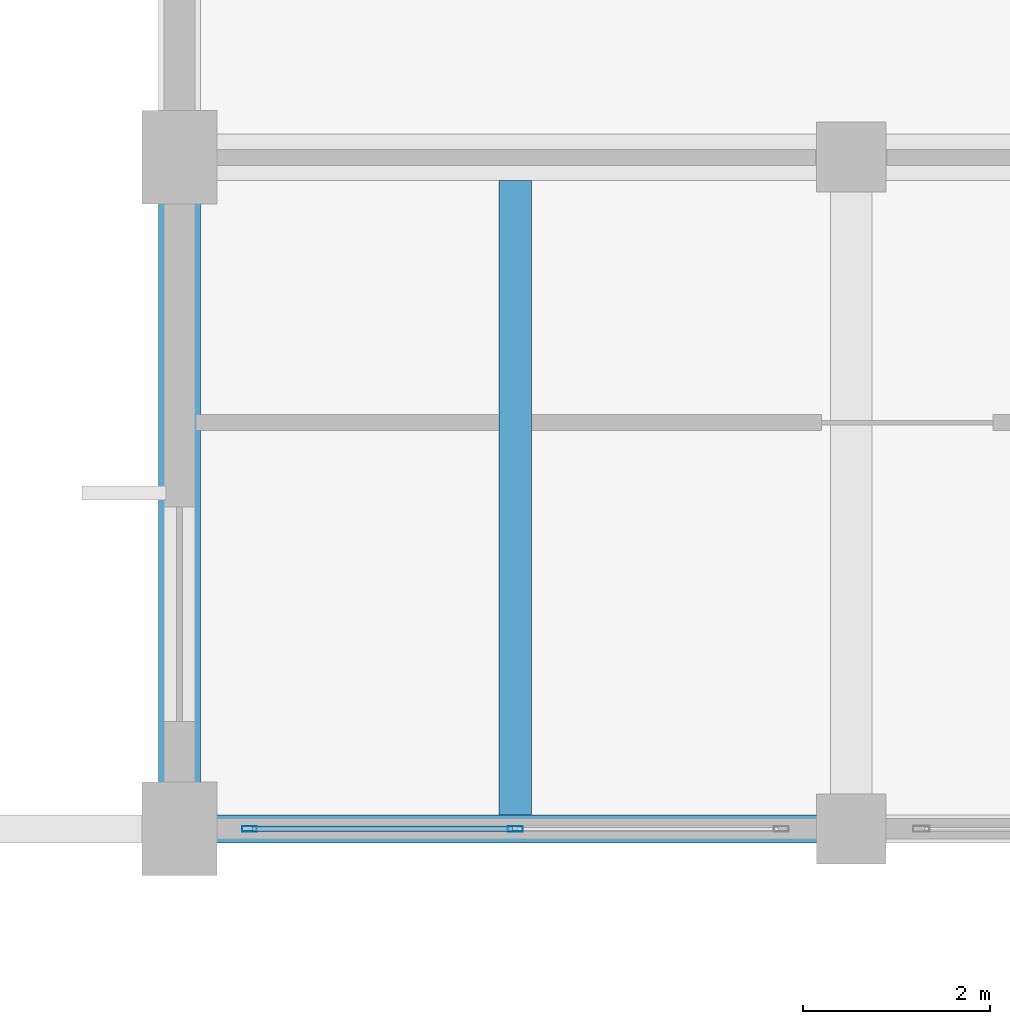
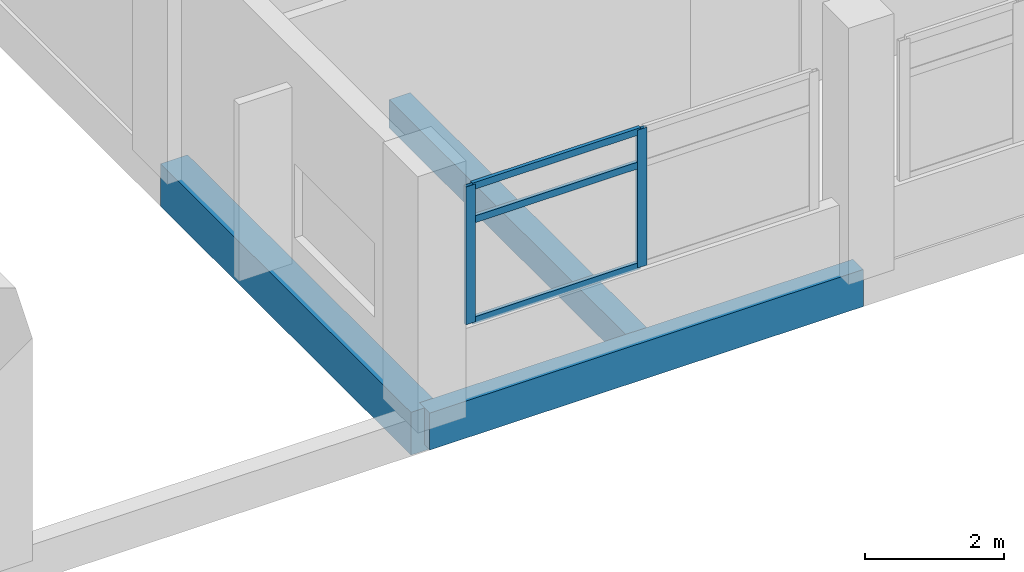
# One storey, part 7 of 141: 5 members, 3 beams, 1 element without a shape of its own.
"""IFC4 building model written with IfcOpenShell, lengths in metres."""

from ifc_helpers import new_model, si_unit, direction, frame, origin, origin_2d, place, context, subcontext, project, spatial, rectangle, hollow_rectangle, extrude, material, layer, layer_set, material_profile, profile_set, type_object, element, aggregate, save


model = new_model("IFC4")

# Units and contexts
model_context = context("Model", 3, precision=1e-05, world=origin(), true_north=direction((0.0, 1.0)))
body_context = subcontext(model_context, "Body", "Model", "MODEL_VIEW")
ifc_project = project(units=[si_unit("LENGTHUNIT", "METRE"), si_unit("AREAUNIT", "SQUARE_METRE"), si_unit("VOLUMEUNIT", "CUBIC_METRE"), si_unit("PLANEANGLEUNIT", "RADIAN"), si_unit("MASSUNIT", "GRAM", prefix="KILO")], contexts=[model_context])

# Site, building, storey
site_placement = place(None, origin())
site = spatial("IfcSite", under=ifc_project, at=site_placement, CompositionType="ELEMENT")
building_placement = place(site_placement, origin())
building = spatial("IfcBuilding", under=site, at=building_placement, Name="Seraya Terrace Polytechnic", CompositionType="ELEMENT")
storey_placement = place(building_placement, frame((0.0, 0.0, 14.39990234375)))
storey = spatial("IfcBuildingStorey", under=building, at=storey_placement, Name="L03", CompositionType="ELEMENT", Elevation=14.39990234375)

# Beam
ifc_material_1 = material(Name="Concrete C40/50", Category="concrete")
ifc_material_profile_1 = material_profile(ifc_material_1, rectangle(XDim=0.449951171875, YDim=0.75, at=origin_2d()), Name="RC 450x750")
ifc_profile_set_1 = profile_set([ifc_material_profile_1], Name="Concrete C40/50")
beam_type_1 = type_object("IfcBeamType", Name="BM-08", PredefinedType="BEAM", material=ifc_profile_set_1)
beam_1_placement = place(storey_placement, frame((43.199951171875, 0.0, -0.375), z_axis=(0.0, 1.0, 0.0), x_axis=(-1.0, 0.0, 0.0)))
element("IfcBeam", 1, at=beam_1_placement, inside=storey, type_object=beam_type_1, Name="Beam BM-08 L03 Y (43.2, 0.0..7.2)", PredefinedType="BEAM", context=body_context, shape_type="SweptSolid", body=[
    extrude(rectangle(XDim=0.449951171875, YDim=0.75, at=origin_2d()), origin(), (0.0, 0.0, 1.0), 7.199951171875),
])

# Curtain wall, members
ifc_material_2 = material(Name="Anodised aluminium EN AW-6063 T6", Category="aluminium")
ifc_layer = layer(ifc_material_2, 0.179931640625, Name="CW-35")
ifc_layer_set = layer_set([ifc_layer], Name="Anodised aluminium EN AW-6063 T6")
curtain_wall_type = type_object("IfcCurtainWallType", Name="CW-35", PredefinedType="NOTDEFINED", material=ifc_layer_set)
curtain_wall_placement = place(storey_placement, origin())
curtain_wall = element("IfcCurtainWall", 2, at=curtain_wall_placement, inside=storey, type_object=curtain_wall_type, Name="Unitised curtain wall CW-35 (CW-L03-107)", PredefinedType="NOTDEFINED")
ifc_material_profile_2 = material_profile(ifc_material_2, hollow_rectangle(XDim=0.06005859375, YDim=0.159912109375, WallThickness=0.00341796875, at=origin_2d()), Name="RHS 160x60x3.5")
ifc_profile_set_2 = profile_set([ifc_material_profile_2], Name="Anodised aluminium EN AW-6063 T6")
member_type_1 = type_object("IfcMemberType", Name="CWM-02", PredefinedType="MULLION", material=ifc_profile_set_2)
member_1_placement = place(storey_placement, frame((46.800048828125, 0.0, 1.239990234375), z_axis=(0.0, 0.0, 1.0), x_axis=(0.0, -1.0, 0.0)))
member_1 = element("IfcMember", 3, at=member_1_placement, type_object=member_type_1, Name="CW-35 mullion 2", PredefinedType="MULLION", context=body_context, shape_type="SweptSolid", body=[
    extrude(hollow_rectangle(XDim=0.06005859375, YDim=0.159912109375, WallThickness=0.00341796875, at=origin_2d()), origin(), (0.0, 0.0, 1.0), 2.420166015625),
])
member_2_placement = place(storey_placement, frame((43.949951171875, 0.0, 1.239990234375), z_axis=(0.0, 0.0, 1.0), x_axis=(0.0, -1.0, 0.0)))
member_2 = element("IfcMember", 4, at=member_2_placement, type_object=member_type_1, Name="CW-35 mullion 3", PredefinedType="MULLION", context=body_context, shape_type="SweptSolid", body=[
    extrude(hollow_rectangle(XDim=0.06005859375, YDim=0.159912109375, WallThickness=0.00341796875, at=origin_2d()), origin(), (0.0, 0.0, 1.0), 2.420166015625),
])
ifc_material_profile_3 = material_profile(ifc_material_2, hollow_rectangle(XDim=0.06005859375, YDim=0.1201171875, WallThickness=0.003173828125, at=origin_2d()), Name="RHS 120x60x3.2")
ifc_profile_set_3 = profile_set([ifc_material_profile_3], Name="Anodised aluminium EN AW-6063 T6")
member_type_2 = type_object("IfcMemberType", Name="CWT-02", PredefinedType="USERDEFINED", material=ifc_profile_set_3)
member_3_placement = place(storey_placement, frame((46.77001953125, 0.0, 1.27001953125), z_axis=(-1.0, 0.0, 0.0), x_axis=(0.0, -1.0, 0.0)))
member_3 = element("IfcMember", 5, at=member_3_placement, type_object=member_type_2, Name="CW-35 transom 2.1", ObjectType="TRANSOM", PredefinedType="USERDEFINED", context=body_context, shape_type="SweptSolid", body=[
    extrude(hollow_rectangle(XDim=0.06005859375, YDim=0.1201171875, WallThickness=0.003173828125, at=origin_2d()), origin(), (0.0, 0.0, 1.0), 2.7900390625),
])
member_4_placement = place(storey_placement, frame((46.77001953125, 0.0, 3.0400390625), z_axis=(-1.0, 0.0, 0.0), x_axis=(0.0, -1.0, 0.0)))
member_4 = element("IfcMember", 6, at=member_4_placement, type_object=member_type_2, Name="CW-35 transom 2.2", ObjectType="TRANSOM", PredefinedType="USERDEFINED", context=body_context, shape_type="SweptSolid", body=[
    extrude(hollow_rectangle(XDim=0.06005859375, YDim=0.1201171875, WallThickness=0.003173828125, at=origin_2d()), origin(), (0.0, 0.0, 1.0), 2.7900390625),
])
member_5_placement = place(storey_placement, frame((46.77001953125, 0.0, 3.630126953125), z_axis=(-1.0, 0.0, 0.0), x_axis=(0.0, -1.0, 0.0)))
member_5 = element("IfcMember", 7, at=member_5_placement, type_object=member_type_2, Name="CW-35 transom 2.3", ObjectType="TRANSOM", PredefinedType="USERDEFINED", context=body_context, shape_type="SweptSolid", body=[
    extrude(hollow_rectangle(XDim=0.06005859375, YDim=0.1201171875, WallThickness=0.003173828125, at=origin_2d()), origin(), (0.0, 0.0, 1.0), 2.7900390625),
])
aggregate(curtain_wall, [member_1, member_2, member_3, member_4, member_5])

# Beams
ifc_material_profile_4 = material_profile(ifc_material_1, rectangle(XDim=0.35009765625, YDim=0.5, at=origin_2d()), Name="RC 350x500")
ifc_profile_set_4 = profile_set([ifc_material_profile_4], Name="Concrete C40/50")
beam_type_2 = type_object("IfcBeamType", Name="JS-03", PredefinedType="JOIST", material=ifc_profile_set_4)
beam_2_placement = place(storey_placement, frame((46.800048828125, 0.14990234375, -0.25), z_axis=(0.0, 1.0, 0.0), x_axis=(-1.0, 0.0, 0.0)))
element("IfcBeam", 8, at=beam_2_placement, inside=storey, type_object=beam_type_2, Name="Secondary joist JS-03 L03", PredefinedType="JOIST", context=body_context, shape_type="SweptSolid", body=[
    extrude(rectangle(XDim=0.35009765625, YDim=0.5, at=origin_2d()), origin(), (0.0, 0.0, 1.0), 6.800048828125),
])
ifc_material_profile_5 = material_profile(ifc_material_1, rectangle(XDim=0.300048828125, YDim=0.64990234375, at=origin_2d()), Name="RC 300x650")
ifc_profile_set_5 = profile_set([ifc_material_profile_5], Name="Concrete C40/50")
beam_type_3 = type_object("IfcBeamType", Name="SP-01", PredefinedType="SPANDREL", material=ifc_profile_set_5)
beam_3_placement = place(storey_placement, frame((43.199951171875, 0.0, -0.324951171875), z_axis=(1.0, 0.0, 0.0), x_axis=(0.0, 1.0, 0.0)))
element("IfcBeam", 9, at=beam_3_placement, inside=storey, type_object=beam_type_3, Name="Beam SP-01 L03 X (43.2..50.4, 0.0)", PredefinedType="SPANDREL", context=body_context, shape_type="SweptSolid", body=[
    extrude(rectangle(XDim=0.300048828125, YDim=0.64990234375, at=origin_2d()), origin(), (0.0, 0.0, 1.0), 7.199951171875),
])

save(model, "model.ifc")
